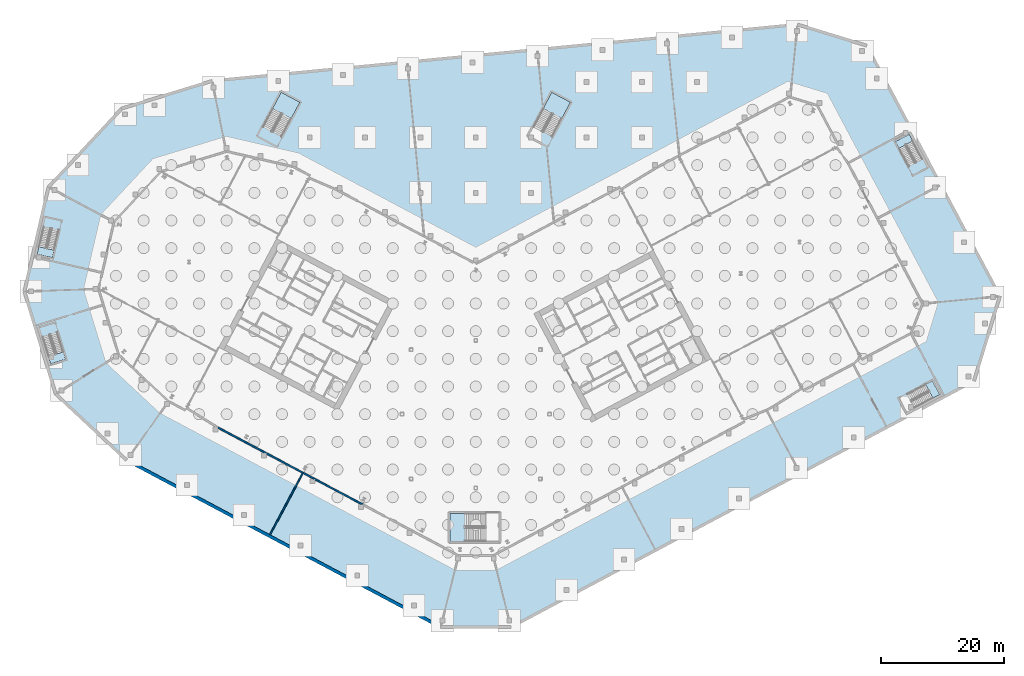
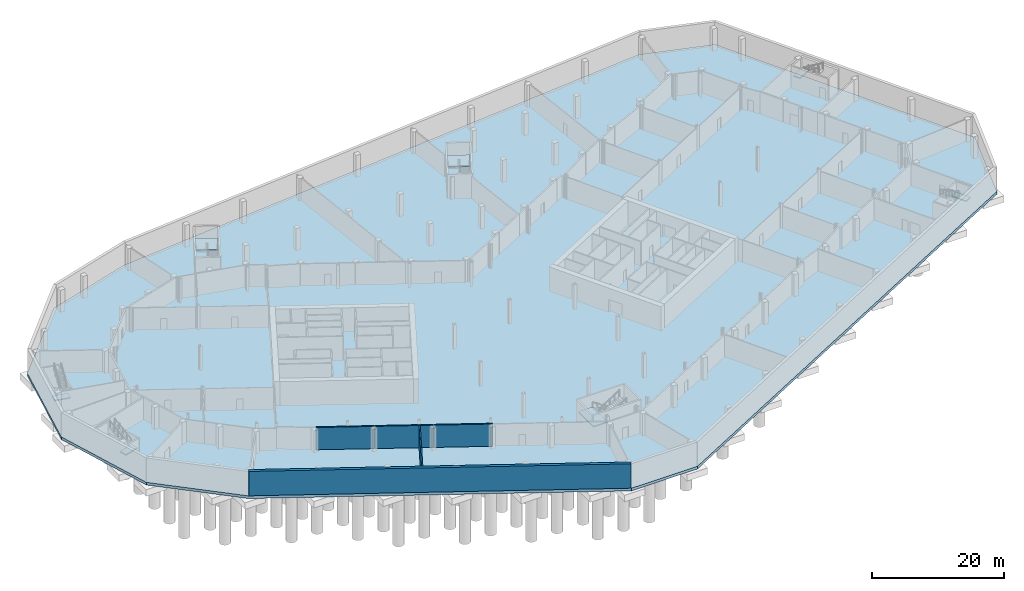
# One storey, part 8 of 29: 8 slabs, 6 walls, 7 elements without a shape of their own.
"""IFC4 building model written with IfcOpenShell, lengths in metres."""

import ifcopenshell
import ifcopenshell.guid

model = None  # the IFC model being written
_history = None  # IfcOwnerHistory: only IFC2X3 demands one
_inside = {}  # id of a spatial element -> (the spatial element, [elements in it])
_under = {}  # id of a project, library or spatial element -> (it, [spatial elements below it])
_declared = {}  # id of a project -> (the project, [libraries it declares])
_typed = {}  # id of a type object -> (the type object, [elements of that type])
_made_of = {}  # id of a material, layer set ... -> (it, [elements and type objects made of it])


def new_model(schema):
    """Start an empty IFC model of exactly this schema.

    Asked for "IFC4X3", IfcOpenShell would pick the latest addendum, in which some entities
    have other attributes; the version numbers below select the first issue.
    IFC2X3 requires an IfcOwnerHistory on every rooted entity: one is made here for all.
    """
    global model, _history
    if schema == "IFC4X3":
        model = ifcopenshell.file(schema_version=(4, 3, 0, 0))
    else:
        model = ifcopenshell.file(schema=schema)
    _inside.clear()
    _under.clear()
    _declared.clear()
    _typed.clear()
    _made_of.clear()
    _history = None
    if model.schema == "IFC2X3":
        org = make("IfcOrganization", Name="unknown")
        user = make(
            "IfcPersonAndOrganization",
            ThePerson=make("IfcPerson", FamilyName="unknown"),
            TheOrganization=org,
        )
        app = make(
            "IfcApplication",
            ApplicationDeveloper=org,
            Version="unknown",
            ApplicationFullName="unknown",
            ApplicationIdentifier="unknown",
        )
        _history = make(
            "IfcOwnerHistory",
            OwningUser=user,
            OwningApplication=app,
            ChangeAction="ADDED",
            CreationDate=0,
        )
    return model


def make(cls, **values):
    """One entity of the class cls with the attributes given. An attribute that is None is left unset."""
    return model.create_entity(
        cls, **{name: value for name, value in values.items() if value is not None}
    )


def rooted(cls, **values):
    """An entity with a GlobalId (a new one), such as an element, a storey or a relation."""
    return make(cls, GlobalId=ifcopenshell.guid.new(), OwnerHistory=_history, **values)


def si_unit(unit_type, name, prefix=None):
    """IfcSIUnit, for example si_unit("LENGTHUNIT", "METRE", prefix="MILLI")."""
    return make("IfcSIUnit", UnitType=unit_type, Prefix=prefix, Name=name)


def assignment(units):
    """IfcUnitAssignment: the units of a project."""
    return None if units is None else make("IfcUnitAssignment", Units=units)


def point(xyz):
    """IfcCartesianPoint."""
    return None if xyz is None else make("IfcCartesianPoint", Coordinates=xyz)


def direction(xyz):
    """IfcDirection."""
    return None if xyz is None else make("IfcDirection", DirectionRatios=xyz)


def frame(location, z_axis=None, x_axis=None):
    """IfcAxis2Placement3D, a coordinate frame: its origin and axes. An axis left out is left unset."""
    return make(
        "IfcAxis2Placement3D",
        Location=point(location),
        Axis=direction(z_axis),
        RefDirection=direction(x_axis),
    )


def frame_2d(location, x_axis=None):
    """IfcAxis2Placement2D, a coordinate frame in the plane: its origin and x axis."""
    return make(
        "IfcAxis2Placement2D", Location=point(location), RefDirection=direction(x_axis)
    )


def origin():
    """The frame at (0, 0, 0) with its axes left unset."""
    return frame((0.0, 0.0, 0.0))


def place(relative_to, where):
    """IfcLocalPlacement: puts the frame where relative to a parent placement (None: the world)."""
    return make(
        "IfcLocalPlacement", PlacementRelTo=relative_to, RelativePlacement=where
    )


def context(
    kind, dimensions, precision=None, world=None, true_north=None, identifier=None
):
    """IfcGeometricRepresentationContext, for example the 3D "Model" context."""
    return make(
        "IfcGeometricRepresentationContext",
        ContextIdentifier=identifier,
        ContextType=kind,
        CoordinateSpaceDimension=dimensions,
        Precision=precision,
        WorldCoordinateSystem=world,
        TrueNorth=true_north,
    )


def subcontext(parent, identifier, kind, view, scale=None):
    """IfcGeometricRepresentationSubContext, for example "Body" below "Model"."""
    return make(
        "IfcGeometricRepresentationSubContext",
        ContextIdentifier=identifier,
        ContextType=kind,
        ParentContext=parent,
        TargetScale=scale,
        TargetView=view,
    )


def project(units=None, contexts=None):
    """IfcProject with its units and contexts."""
    return rooted(
        "IfcProject",
        Name="project",
        RepresentationContexts=contexts,
        UnitsInContext=assignment(units),
    )


def spatial(cls, under=None, at=None, **own):
    """A site, building, storey or space (cls), placed at a placement, below another one or the project."""
    s = rooted(cls, ObjectPlacement=at, **own)
    if under is not None:
        _under.setdefault(under.id(), (under, []))[1].append(s)
    return s


def polyline(points):
    """IfcPolyline through the points."""
    return make("IfcPolyline", Points=[point(p) for p in points])


def profile(cls, at=None, kind="AREA", **sizes):
    """A parametric profile (cls). Its sizes go by their IFC names, for example OverallWidth=200.0."""
    return make(cls, ProfileType=kind, Position=at, **sizes)


def rectangle(**sizes):
    """IfcRectangleProfileDef."""
    return profile("IfcRectangleProfileDef", **sizes)


def outline(outer, holes=None, kind="AREA"):
    """IfcArbitraryClosedProfileDef: a profile drawn as a closed curve; with holes, ...WithVoids."""
    if holes is None:
        return make("IfcArbitraryClosedProfileDef", ProfileType=kind, OuterCurve=outer)
    return make(
        "IfcArbitraryProfileDefWithVoids",
        ProfileType=kind,
        OuterCurve=outer,
        InnerCurves=holes,
    )


def extrude(swept, where, along, depth):
    """IfcExtrudedAreaSolid: the profile swept, set in the frame where, extruded along a direction by depth."""
    return make(
        "IfcExtrudedAreaSolid",
        SweptArea=swept,
        Position=where,
        ExtrudedDirection=direction(along),
        Depth=depth,
    )


def shape(context_of_items, identifier, shape_type, items):
    """IfcShapeRepresentation: the items that make up one representation, for example the "Body"."""
    return make(
        "IfcShapeRepresentation",
        ContextOfItems=context_of_items,
        RepresentationIdentifier=identifier,
        RepresentationType=shape_type,
        Items=items,
    )


def material(Name=None, Category=None):
    """IfcMaterial."""
    return make("IfcMaterial", Name=Name, Category=Category)


def layer(
    of_material, thickness, ventilated=None, Name=None, Category=None, Priority=None
):
    """IfcMaterialLayer: one layer of a wall or slab, of a material (None: an air gap)."""
    return make(
        "IfcMaterialLayer",
        Material=of_material,
        LayerThickness=thickness,
        IsVentilated=ventilated,
        Name=Name,
        Category=Category,
        Priority=Priority,
    )


def layer_set(layers, Name=None):
    """IfcMaterialLayerSet."""
    return make("IfcMaterialLayerSet", MaterialLayers=layers, LayerSetName=Name)


def made_of(thing, what):
    """Note that an element or type object is made of a material, layer set ...; save() writes the relation."""
    if what is not None:
        _made_of.setdefault(what.id(), (what, []))[1].append(thing)
    return thing


def type_object(cls, material=None, **own):
    """A type object (cls), such as IfcWallType, which elements share."""
    return made_of(rooted(cls, **own), material)


def element(
    cls,
    number,
    at=None,
    inside=None,
    cuts=None,
    type_object=None,
    material=None,
    context=None,
    identifier="Body",
    shape_type=None,
    held_by="IfcProductDefinitionShape",
    body=None,
    shapes=None,
    **own,
):
    """One element of the class cls, such as IfcWall. Its Tag is "e" and its number.

    at: its placement. inside: the storey or other place that contains it. cuts: it is an
    opening in that element (IfcRelVoidsElement). A single representation is given by context,
    identifier, shape_type and body (its items); several are given by shapes. held_by: the class
    of the entity that holds the representations. save() writes the other relations.
    """
    e = rooted(cls, Tag="e%d" % number, ObjectPlacement=at, **own)
    if body is not None:
        shapes = [shape(context, identifier, shape_type, body)]
    if shapes is not None:
        e.Representation = make(held_by, Representations=shapes)
    if inside is not None:
        _inside.setdefault(inside.id(), (inside, []))[1].append(e)
    if cuts is not None:
        rooted(
            "IfcRelVoidsElement", RelatingBuildingElement=cuts, RelatedOpeningElement=e
        )
    if type_object is not None:
        _typed.setdefault(type_object.id(), (type_object, []))[1].append(e)
    return made_of(e, material)


def aggregate(whole, parts):
    """IfcRelAggregates: a whole, such as a stair, and the parts it consists of."""
    return rooted("IfcRelAggregates", RelatingObject=whole, RelatedObjects=parts)


def save(model, path):
    """Write the relations noted so far, then the file.

    IfcRelAggregates (storeys below a building ...), IfcRelContainedInSpatialStructure (elements
    in a storey), IfcRelDefinesByType, IfcRelAssociatesMaterial and IfcRelDeclares: one each for
    every whole, place, type object, material and project.
    """
    for whole, parts in _under.values():
        aggregate(whole, parts)
    for where, things in _inside.values():
        rooted(
            "IfcRelContainedInSpatialStructure",
            RelatedElements=things,
            RelatingStructure=where,
        )
    for kind, things in _typed.values():
        rooted("IfcRelDefinesByType", RelatedObjects=things, RelatingType=kind)
    for what, things in _made_of.values():
        rooted("IfcRelAssociatesMaterial", RelatedObjects=things, RelatingMaterial=what)
    for by, libraries in _declared.values():
        rooted("IfcRelDeclares", RelatingContext=by, RelatedDefinitions=libraries)
    model.write(path)


model = new_model("IFC4")

# Units and contexts
model_context = context("Model", 3, precision=1e-05, world=origin(), true_north=direction((0.0, 1.0)))
body_context = subcontext(model_context, "Body", "Model", "MODEL_VIEW")
ifc_project = project(units=[si_unit("LENGTHUNIT", "METRE"), si_unit("AREAUNIT", "SQUARE_METRE"), si_unit("VOLUMEUNIT", "CUBIC_METRE"), si_unit("PLANEANGLEUNIT", "RADIAN"), si_unit("MASSUNIT", "GRAM", prefix="KILO")], contexts=[model_context])

# Site, building, storey
site_placement = place(None, origin())
site = spatial("IfcSite", under=ifc_project, at=site_placement, CompositionType="ELEMENT")
building_placement = place(site_placement, origin())
building = spatial("IfcBuilding", under=site, at=building_placement, Name="Cormorant Relay Tower", CompositionType="ELEMENT")
storey_placement = place(building_placement, frame((0.0, 0.0, -9.0)))
storey = spatial("IfcBuildingStorey", under=building, at=storey_placement, Name="B2", CompositionType="ELEMENT", Elevation=-9.0)

# Slab
ifc_material_1 = material(Name="Concrete 35 MPa", Category="concrete")
ifc_layer_1 = layer(ifc_material_1, 0.5)
ifc_layer_set_1 = layer_set([ifc_layer_1], Name="Base slab 500")
slab_type_1 = type_object("IfcSlabType", Name="Base slab 500", PredefinedType="BASESLAB", material=ifc_layer_set_1)
slab_1_placement = place(storey_placement, frame((0.0, 0.0, -0.5)))
element("IfcSlab", 1, at=slab_1_placement, inside=storey, type_object=slab_type_1, Name="Base slab B2", PredefinedType="BASESLAB", context=body_context, shape_type="SweptSolid", body=[
    extrude(outline(polyline([(-56.9130859375, -7.679931640625), (-68.51611328125, 3.140380859375), (-73.65283203125, 19.941650390625), (-69.70068359375, 37.060546875), (-57.718505859375, 49.909912109375), (-42.9169921875, 54.43505859375), (52.3408203125, 63.616455078125), (63.727783203125, 60.135009765625), (85.490234375, 19.205810546875), (81.222412109375, 5.24560546875), (5.765380859375, -34.87548828125), (-5.765380859375, -34.87548828125), (-56.9130859375, -7.679931640625)])), origin(), (0.0, 0.0, 1.0), 0.5),
])

# Stair, slab
ifc_material_2 = material(Name="Concrete 40 MPa", Category="concrete")
stair_type_1 = type_object("IfcStairType", Name="Remote exit stair 2200", PredefinedType="HALF_TURN_STAIR", material=ifc_material_2)
stair_1_placement = place(storey_placement, origin())
stair_1 = element("IfcStair", 2, at=stair_1_placement, inside=storey, type_object=stair_type_1, Name="B2 Stair", PredefinedType="HALF_TURN_STAIR")
ifc_material_3 = material(Name="Concrete 40 MPa", Category="concrete")
ifc_layer_2 = layer(ifc_material_3, 0.199951171875)
ifc_layer_set_2 = layer_set([ifc_layer_2], Name="Exit stair landing 200")
slab_type_2 = type_object("IfcSlabType", Name="Exit stair landing 200", PredefinedType="LANDING", material=ifc_layer_set_2)
slab_2_placement = place(storey_placement, frame((0.0, 0.0, 2.050048828125)))
slab_2 = element("IfcSlab", 3, at=slab_2_placement, type_object=slab_type_2, Name="RK1 landing 1", PredefinedType="LANDING", context=body_context, shape_type="SweptSolid", body=[
    extrude(outline(polyline([(-1.760009765625, -16.125), (-4.199951171875, -16.125), (-4.199951171875, -20.675048828125), (-1.760009765625, -20.675048828125), (-1.760009765625, -16.125)])), origin(), (0.0, 0.0, 1.0), 0.199951171875),
])
aggregate(stair_1, [slab_2])

ifc_material_4 = material(Name="Concrete 40 MPa", Category="concrete")
stair_type_2 = type_object("IfcStairType", Name="Exit stair 1500", PredefinedType="HALF_TURN_STAIR", material=ifc_material_4)
stair_2_placement = place(storey_placement, origin())
stair_2 = element("IfcStair", 4, at=stair_2_placement, inside=storey, type_object=stair_type_2, Name="B2 Stair", PredefinedType="HALF_TURN_STAIR")
slab_3_placement = place(storey_placement, frame((0.0, 0.0, 2.050048828125)))
slab_3 = element("IfcSlab", 5, at=slab_3_placement, type_object=slab_type_2, Name="RN1 landing 1", PredefinedType="LANDING", context=body_context, shape_type="SweptSolid", body=[
    extrude(outline(polyline([(13.997314453125, 48.08203125), (15.40087890625, 50.721923828125), (12.354736328125, 52.341552734375), (10.951171875, 49.70166015625), (13.997314453125, 48.08203125)])), origin(), (0.0, 0.0, 1.0), 0.199951171875),
])
aggregate(stair_2, [slab_3])

stair_3_placement = place(storey_placement, origin())
stair_3 = element("IfcStair", 6, at=stair_3_placement, inside=storey, type_object=stair_type_2, Name="B2 Stair", PredefinedType="HALF_TURN_STAIR")
slab_4_placement = place(storey_placement, frame((0.0, 0.0, 2.050048828125)))
slab_4 = element("IfcSlab", 7, at=slab_4_placement, type_object=slab_type_2, Name="RN2 landing 1", PredefinedType="LANDING", context=body_context, shape_type="SweptSolid", body=[
    extrude(outline(polyline([(-30.002685546875, 48.08203125), (-28.59912109375, 50.721923828125), (-31.645263671875, 52.341552734375), (-33.048828125, 49.70166015625), (-30.002685546875, 48.08203125)])), origin(), (0.0, 0.0, 1.0), 0.199951171875),
])
aggregate(stair_3, [slab_4])

ifc_material_5 = material(Name="Concrete 40 MPa", Category="concrete")
stair_type_3 = type_object("IfcStairType", Name="Exit stair 1200", PredefinedType="HALF_TURN_STAIR", material=ifc_material_5)
stair_4_placement = place(storey_placement, origin())
stair_4 = element("IfcStair", 8, at=stair_4_placement, inside=storey, type_object=stair_type_3, Name="B2 Exit stair", PredefinedType="HALF_TURN_STAIR")
ifc_material_6 = material(Name="Concrete 40 MPa", Category="concrete")
ifc_layer_3 = layer(ifc_material_6, 0.199951171875)
ifc_layer_set_3 = layer_set([ifc_layer_3], Name="Podium stair landing 200")
slab_type_3 = type_object("IfcSlabType", Name="Podium stair landing 200", PredefinedType="LANDING", material=ifc_layer_set_3)
slab_5_placement = place(storey_placement, frame((0.0, 0.0, 2.050048828125)))
slab_5 = element("IfcSlab", 9, at=slab_5_placement, type_object=slab_type_3, Name="X1 landing 1", PredefinedType="LANDING", context=body_context, shape_type="SweptSolid", body=[
    extrude(outline(polyline([(74.33837890625, 2.604736328125), (75.43310546875, 3.186767578125), (74.236083984375, 5.438232421875), (73.14111328125, 4.856201171875), (74.33837890625, 2.604736328125)])), origin(), (0.0, 0.0, 1.0), 0.199951171875),
])
aggregate(stair_4, [slab_5])

stair_5_placement = place(storey_placement, origin())
stair_5 = element("IfcStair", 10, at=stair_5_placement, inside=storey, type_object=stair_type_3, Name="B2 Exit stair", PredefinedType="HALF_TURN_STAIR")
slab_6_placement = place(storey_placement, frame((0.0, 0.0, 2.050048828125)))
slab_6 = element("IfcSlab", 11, at=slab_6_placement, type_object=slab_type_3, Name="X2 landing 1", PredefinedType="LANDING", context=body_context, shape_type="SweptSolid", body=[
    extrude(outline(polyline([(71.06005859375, 44.42822265625), (70.477783203125, 45.52294921875), (68.226318359375, 44.325927734375), (68.80859375, 43.23095703125), (71.06005859375, 44.42822265625)])), origin(), (0.0, 0.0, 1.0), 0.199951171875),
])
aggregate(stair_5, [slab_6])

stair_6_placement = place(storey_placement, origin())
stair_6 = element("IfcStair", 12, at=stair_6_placement, inside=storey, type_object=stair_type_3, Name="B2 Exit stair", PredefinedType="HALF_TURN_STAIR")
slab_7_placement = place(storey_placement, frame((0.0, 0.0, 2.050048828125)))
slab_7 = element("IfcSlab", 13, at=slab_7_placement, type_object=slab_type_3, Name="X3 landing 1", PredefinedType="LANDING", context=body_context, shape_type="SweptSolid", body=[
    extrude(outline(polyline([(-71.0458984375, 27.233154296875), (-71.324951171875, 26.02490234375), (-68.840087890625, 25.451171875), (-68.561279296875, 26.659423828125), (-71.0458984375, 27.233154296875)])), origin(), (0.0, 0.0, 1.0), 0.199951171875),
])
aggregate(stair_6, [slab_7])

stair_7_placement = place(storey_placement, origin())
stair_7 = element("IfcStair", 14, at=stair_7_placement, inside=storey, type_object=stair_type_3, Name="B2 Exit stair", PredefinedType="HALF_TURN_STAIR")
slab_8_placement = place(storey_placement, frame((0.0, 0.0, 2.050048828125)))
slab_8 = element("IfcSlab", 15, at=slab_8_placement, type_object=slab_type_3, Name="X4 landing 1", PredefinedType="LANDING", context=body_context, shape_type="SweptSolid", body=[
    extrude(outline(polyline([(-69.485107421875, 9.387939453125), (-69.12255859375, 8.2021484375), (-66.68408203125, 8.94775390625), (-67.046630859375, 10.133544921875), (-69.485107421875, 9.387939453125)])), origin(), (0.0, 0.0, 1.0), 0.199951171875),
])
aggregate(stair_7, [slab_8])

# Walls
ifc_material_7 = material(Name="Concrete masonry 20 MPa", Category="masonry")
ifc_layer_4 = layer(ifc_material_7, 0.25)
ifc_layer_set_4 = layer_set([ifc_layer_4], Name="Fire separation wall 250")
wall_type_1 = type_object("IfcWallType", Name="Fire separation wall 250", PredefinedType="SOLIDWALL", material=ifc_layer_set_4)
wall_1_placement = place(storey_placement, frame((-28.092041015625, -9.526611328125, 0.0), z_axis=(0.0, 0.0, 1.0), x_axis=(-0.882951650701, 0.469463931016, 0.0)))
element("IfcWall", 16, at=wall_1_placement, inside=storey, type_object=wall_type_1, Name="Partition", PredefinedType="SOLIDWALL", context=body_context, shape_type="SweptSolid", body=[
    extrude(rectangle(XDim=6.7646484375, YDim=0.25, at=frame_2d((3.38232421875, 0.0))), origin(), (0.0, 0.0, 1.0), 4.10009765625),
])
wall_2_placement = place(storey_placement, frame((-34.153076171875, -6.303955078125, 0.0), z_axis=(0.0, 0.0, 1.0), x_axis=(-0.882943838539, 0.469478623567, 0.0)))
element("IfcWall", 17, at=wall_2_placement, inside=storey, type_object=wall_type_1, Name="Partition", PredefinedType="SOLIDWALL", context=body_context, shape_type="SweptSolid", body=[
    extrude(rectangle(XDim=8.83056640625, YDim=0.25, at=frame_2d((4.415283203125, 0.0))), origin(), (0.0, 0.0, 1.0), 4.10009765625),
])
wall_3_placement = place(storey_placement, frame((-18.3798828125, -14.68994140625, 0.0), z_axis=(0.0, 0.0, 1.0), x_axis=(-0.882975751466, 0.469418600317, 0.0)))
element("IfcWall", 18, at=wall_3_placement, inside=storey, type_object=wall_type_1, Name="Partition", PredefinedType="SOLIDWALL", context=body_context, shape_type="SweptSolid", body=[
    extrude(rectangle(XDim=8.832763671875, YDim=0.25, at=frame_2d((4.41650390625, 0.0))), origin(), (0.0, 0.0, 1.0), 4.10009765625),
])
wall_4_placement = place(storey_placement, frame((-26.266845703125, -10.4970703125, 0.0), z_axis=(0.0, 0.0, 1.0), x_axis=(-0.882964142915, 0.469440435335, 0.0)))
element("IfcWall", 19, at=wall_4_placement, inside=storey, type_object=wall_type_1, Name="Partition", PredefinedType="SOLIDWALL", context=body_context, shape_type="SweptSolid", body=[
    extrude(rectangle(XDim=2.065185546875, YDim=0.25, at=frame_2d((1.03271484375, 0.0))), origin(), (0.0, 0.0, 1.0), 4.10009765625),
])
ifc_material_8 = material(Name="Concrete masonry 20 MPa", Category="masonry")
ifc_layer_5 = layer(ifc_material_8, 0.199951171875)
ifc_layer_set_5 = layer_set([ifc_layer_5], Name="Plant room wall 200")
wall_type_2 = type_object("IfcWallType", Name="Plant room wall 200", PredefinedType="PARTITIONING", material=ifc_layer_set_5)
wall_5_placement = place(storey_placement, frame((-33.447509765625, -19.59033203125, 0.0), z_axis=(0.0, 0.0, 1.0), x_axis=(0.469466279335, 0.882950402099, 0.0)))
element("IfcWall", 20, at=wall_5_placement, inside=storey, type_object=wall_type_2, Name="Partition", PredefinedType="PARTITIONING", context=body_context, shape_type="SweptSolid", body=[
    extrude(rectangle(XDim=11.399658203125, YDim=0.199951171875, at=frame_2d((5.69970703125, 0.0))), origin(), (0.0, 0.0, 1.0), 4.10009765625),
])
ifc_material_9 = material(Name="Concrete 40 MPa", Category="concrete")
ifc_layer_6 = layer(ifc_material_9, 0.5)
ifc_layer_set_6 = layer_set([ifc_layer_6], Name="Retaining wall 500")
wall_type_3 = type_object("IfcWallType", Name="Retaining wall 500", PredefinedType="SOLIDWALL", material=ifc_layer_set_6)
wall_6_placement = place(storey_placement, frame((-56.7666015625, -7.474609375, 0.0), z_axis=(0.0, 0.0, 1.0), x_axis=(0.882947974138, -0.469470845703, 0.0)))
element("IfcWall", 21, at=wall_6_placement, inside=storey, type_object=wall_type_3, Name="Retaining wall", PredefinedType="SOLIDWALL", context=body_context, shape_type="SweptSolid", body=[
    extrude(rectangle(XDim=57.8330078125, YDim=0.5, at=frame_2d((28.91650390625, 0.0))), origin(), (0.0, 0.0, 1.0), 4.5),
])

save(model, "model.ifc")
